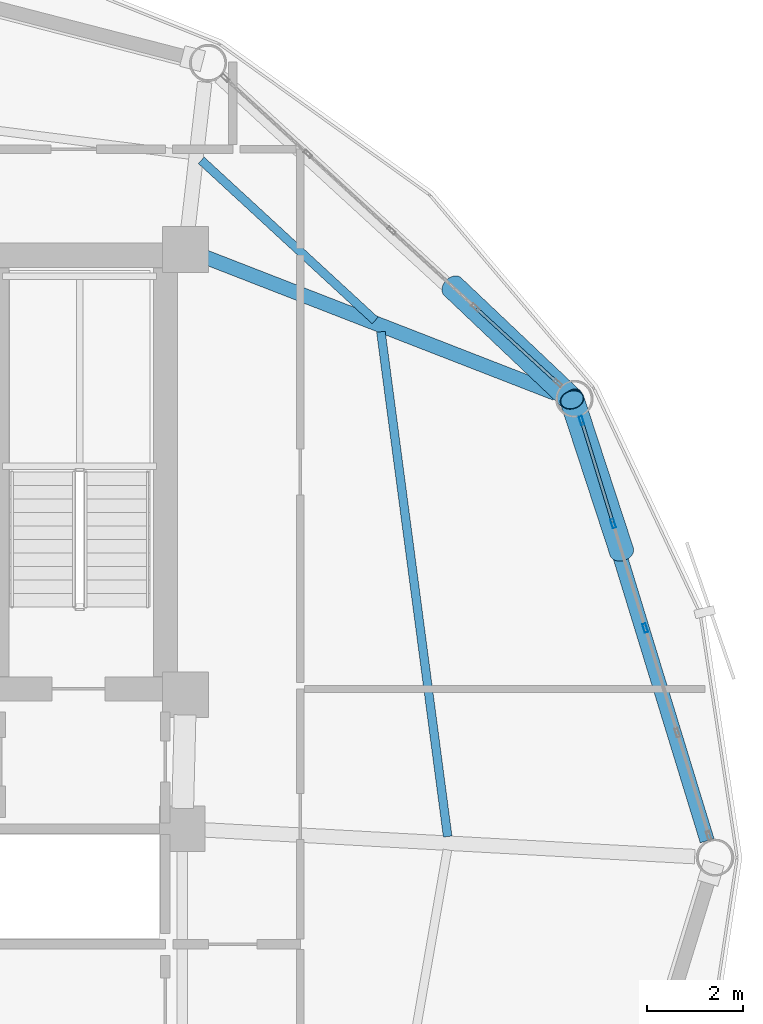
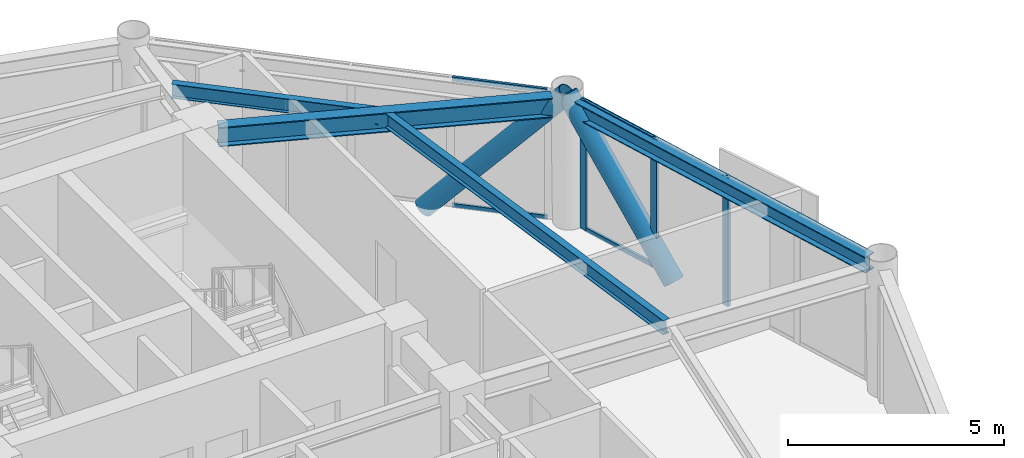
# One storey, part 15 of 27: 9 members, 4 beams, 2 elements without a shape of their own.
"""IFC4 building model written with IfcOpenShell, lengths in metres."""

from ifc_helpers import new_model, si_unit, direction, frame, origin, origin_2d, place, context, subcontext, project, spatial, hollow_rectangle, hollow_circle, i_section, extrude, material, layer, layer_set, material_profile, profile_set, type_object, element, aggregate, save


model = new_model("IFC4")

# Units and contexts
model_context = context("Model", 3, precision=1e-05, world=origin(), true_north=direction((0.0, 1.0)))
body_context = subcontext(model_context, "Body", "Model", "MODEL_VIEW")
ifc_project = project(units=[si_unit("LENGTHUNIT", "METRE"), si_unit("AREAUNIT", "SQUARE_METRE"), si_unit("VOLUMEUNIT", "CUBIC_METRE"), si_unit("PLANEANGLEUNIT", "RADIAN"), si_unit("MASSUNIT", "GRAM", prefix="KILO")], contexts=[model_context])

# Site, building, storey
site_placement = place(None, origin())
site = spatial("IfcSite", under=ifc_project, at=site_placement, CompositionType="ELEMENT")
building_placement = place(site_placement, origin())
building = spatial("IfcBuilding", under=site, at=building_placement, Name="Varnakorn Sky Granary", CompositionType="ELEMENT")
storey_placement = place(building_placement, frame((0.0, 0.0, 142.199951171875)))
storey = spatial("IfcBuildingStorey", under=building, at=storey_placement, Name="L35", CompositionType="ELEMENT", Elevation=142.199951171875)

# Beams
ifc_material_1 = material(Name="Steel S355JR", Category="steel")
ifc_material_profile_1 = material_profile(ifc_material_1, i_section(OverallWidth=0.300048828125, OverallDepth=0.550048828125, WebThickness=0.014892578125, FlangeThickness=0.029052734375, at=origin_2d()), Name="HE 550 B")
ifc_profile_set_1 = profile_set([ifc_material_profile_1], Name="Steel S355JR")
beam_type_1 = type_object("IfcBeamType", Name="BM-RAD-Z3", PredefinedType="BEAM", material=ifc_profile_set_1)
beam_1_placement = place(storey_placement, frame((8.811279296875, 12.4677734375, 3.364990234375), z_axis=(0.931982989382, -0.362502010343, 0.0), x_axis=(0.362502010343, 0.931982989382, 0.0)))
element("IfcBeam", 1, at=beam_1_placement, inside=storey, type_object=beam_type_1, Name="Radial Floor Girder RG02 L35", PredefinedType="BEAM", context=body_context, shape_type="SweptSolid", body=[
    extrude(i_section(OverallWidth=0.300048828125, OverallDepth=0.550048828125, WebThickness=0.014892578125, FlangeThickness=0.029052734375, at=origin_2d()), origin(), (0.0, 0.0, 1.0), 7.819091796875),
])
ifc_material_profile_2 = material_profile(ifc_material_1, i_section(OverallWidth=0.179931640625, OverallDepth=0.39990234375, WebThickness=0.008544921875, FlangeThickness=0.013427734375, at=origin_2d()), Name="IPE 400")
ifc_profile_set_2 = profile_set([ifc_material_profile_2], Name="Steel S355JR")
beam_type_2 = type_object("IfcBeamType", Name="BM-SEC-Z3", PredefinedType="BEAM", material=ifc_profile_set_2)
beam_2_placement = place(storey_placement, frame((13.858642578125, 0.437255859375, 3.43994140625), z_axis=(-0.131110199731, 0.991367800328, 0.0), x_axis=(-0.991367800328, -0.131110199731, 0.0)))
element("IfcBeam", 2, at=beam_2_placement, inside=storey, type_object=beam_type_2, Name="Secondary Floor Chord Beam MSB01 L35", PredefinedType="BEAM", context=body_context, shape_type="SweptSolid", body=[
    extrude(i_section(OverallWidth=0.179931640625, OverallDepth=0.39990234375, WebThickness=0.008544921875, FlangeThickness=0.013427734375, at=origin_2d()), origin(), (0.0, 0.0, 1.0), 10.565673828125),
])
beam_3_placement = place(storey_placement, frame((12.35205078125, 11.145263671875, 3.43994140625), z_axis=(-0.735360372828, 0.677676266424, 0.0), x_axis=(-0.677676266424, -0.735360372828, 0.0)))
element("IfcBeam", 3, at=beam_3_placement, inside=storey, type_object=beam_type_2, Name="Secondary Floor Chord Beam MSB02 L35", PredefinedType="BEAM", context=body_context, shape_type="SweptSolid", body=[
    extrude(i_section(OverallWidth=0.179931640625, OverallDepth=0.39990234375, WebThickness=0.008544921875, FlangeThickness=0.013427734375, at=origin_2d()), origin(), (0.0, 0.0, 1.0), 4.9052734375),
])
ifc_material_profile_3 = material_profile(ifc_material_1, i_section(OverallWidth=0.300048828125, OverallDepth=0.449951171875, WebThickness=0.013916015625, FlangeThickness=0.02587890625, at=origin_2d()), Name="HE 450 B")
ifc_profile_set_3 = profile_set([ifc_material_profile_3], Name="Steel S355JR")
beam_type_3 = type_object("IfcBeamType", Name="BM-SPD-Z3", PredefinedType="SPANDREL", material=ifc_profile_set_3)
beam_4_placement = place(storey_placement, frame((19.242919921875, 0.349853515625, 3.4150390625), z_axis=(-0.292905803463, 0.956141302475, 0.0), x_axis=(-0.956141302475, -0.292905803463, 0.0)))
element("IfcBeam", 4, at=beam_4_placement, inside=storey, type_object=beam_type_3, Name="Perimeter Spandrel Ring Beam RB01 L35", PredefinedType="SPANDREL", context=body_context, shape_type="SweptSolid", body=[
    extrude(i_section(OverallWidth=0.300048828125, OverallDepth=0.449951171875, WebThickness=0.013916015625, FlangeThickness=0.02587890625, at=origin_2d()), origin(), (0.0, 0.0, 1.0), 9.20458984375),
])

# Curtain wall, members
ifc_material_2 = material(Name="Anodised Bronze Aluminium Alloy 6063-T6", Category="aluminium")
ifc_layer = layer(ifc_material_2, 0.179931640625, Name="Anodised Bronze Aluminium Alloy 6063-T6")
ifc_layer_set = layer_set([ifc_layer], Name="Anodised Bronze Aluminium Alloy 6063-T6")
curtain_wall_type = type_object("IfcCurtainWallType", Name="CW-FRM-2", PredefinedType="USERDEFINED", material=ifc_layer_set)
curtain_wall_1_placement = place(storey_placement, origin())
curtain_wall_1 = element("IfcCurtainWall", 5, at=curtain_wall_1_placement, inside=storey, type_object=curtain_wall_type, Name="Unitised Curtain Wall CW4 CW-L35-B01", ObjectType="CURTAIN WALL", PredefinedType="USERDEFINED")
ifc_material_profile_4 = material_profile(ifc_material_2, hollow_rectangle(XDim=0.070068359375, YDim=0.18505859375, WallThickness=0.00390625, at=origin_2d()), Name="ALU MULL 70x185")
ifc_profile_set_4 = profile_set([ifc_material_profile_4], Name="Anodised Bronze Aluminium Alloy 6063-T6")
member_type_1 = type_object("IfcMemberType", Name="CW-FRM-2-MULL", PredefinedType="MULLION", material=ifc_profile_set_4)
member_1_placement = place(storey_placement, frame((16.63720703125, 9.06884765625, 0.0), z_axis=(0.0, 0.0, 1.0), x_axis=(0.956091617843, 0.293067941424, 0.0)))
member_1 = element("IfcMember", 6, at=member_1_placement, type_object=member_type_1, Name="CW4 mullion 1", PredefinedType="MULLION", context=body_context, shape_type="SweptSolid", body=[
    extrude(hollow_rectangle(XDim=0.070068359375, YDim=0.18505859375, WallThickness=0.00390625, at=origin_2d()), origin(), (0.0, 0.0, 1.0), 3.64013671875),
])
member_2_placement = place(storey_placement, frame((17.292236328125, 6.93212890625, 0.0), z_axis=(0.0, 0.0, 1.0), x_axis=(0.956091617843, 0.293067941424, 0.0)))
member_2 = element("IfcMember", 7, at=member_2_placement, type_object=member_type_1, Name="CW4 mullion 2", PredefinedType="MULLION", context=body_context, shape_type="SweptSolid", body=[
    extrude(hollow_rectangle(XDim=0.070068359375, YDim=0.18505859375, WallThickness=0.00390625, at=origin_2d()), origin(), (0.0, 0.0, 1.0), 3.64013671875),
])
member_3_placement = place(storey_placement, frame((17.957275390625, 4.761962890625, 0.0), z_axis=(0.0, 0.0, 1.0), x_axis=(0.956091617843, 0.293067941424, 0.0)))
member_3 = element("IfcMember", 8, at=member_3_placement, type_object=member_type_1, Name="CW4 mullion 3", PredefinedType="MULLION", context=body_context, shape_type="SweptSolid", body=[
    extrude(hollow_rectangle(XDim=0.070068359375, YDim=0.18505859375, WallThickness=0.00390625, at=origin_2d()), origin(), (0.0, 0.0, 1.0), 3.64013671875),
])
ifc_material_profile_5 = material_profile(ifc_material_2, hollow_rectangle(XDim=0.06494140625, YDim=0.1201171875, WallThickness=0.00341796875, at=origin_2d()), Name="ALU TRAN 65x120")
ifc_profile_set_5 = profile_set([ifc_material_profile_5], Name="Anodised Bronze Aluminium Alloy 6063-T6")
member_type_2 = type_object("IfcMemberType", Name="CW-FRM-2-TRAN", PredefinedType="USERDEFINED", material=ifc_profile_set_5)
member_4_placement = place(storey_placement, frame((16.6474609375, 9.035400390625, 0.032470703125), z_axis=(0.29309512368, -0.956083285324, 0.0), x_axis=(0.956083285324, 0.29309512368, 0.0)))
member_4 = element("IfcMember", 9, at=member_4_placement, type_object=member_type_2, Name="CW4 transom 1.1", ObjectType="TRANSOM", PredefinedType="USERDEFINED", context=body_context, shape_type="SweptSolid", body=[
    extrude(hollow_rectangle(XDim=0.06494140625, YDim=0.1201171875, WallThickness=0.00341796875, at=origin_2d()), origin(), (0.0, 0.0, 1.0), 2.164794921875),
])
member_5_placement = place(storey_placement, frame((16.6474609375, 9.035400390625, 3.607666015625), z_axis=(0.29309512368, -0.956083285324, 0.0), x_axis=(0.956083285324, 0.29309512368, 0.0)))
member_5 = element("IfcMember", 10, at=member_5_placement, type_object=member_type_2, Name="CW4 transom 1.2", ObjectType="TRANSOM", PredefinedType="USERDEFINED", context=body_context, shape_type="SweptSolid", body=[
    extrude(hollow_rectangle(XDim=0.06494140625, YDim=0.1201171875, WallThickness=0.00341796875, at=origin_2d()), origin(), (0.0, 0.0, 1.0), 2.164794921875),
])
aggregate(curtain_wall_1, [member_1, member_2, member_3, member_4, member_5])

curtain_wall_2_placement = place(storey_placement, origin())
curtain_wall_2 = element("IfcCurtainWall", 11, at=curtain_wall_2_placement, inside=storey, type_object=curtain_wall_type, Name="Unitised Curtain Wall CW4 CW-L35-B02", ObjectType="CURTAIN WALL", PredefinedType="USERDEFINED")
member_6_placement = place(storey_placement, frame((14.459228515625, 11.392333984375, 0.032470703125), z_axis=(0.737248544371, -0.675621627705, 0.0), x_axis=(0.675621627705, 0.737248544371, 0.0)))
member_6 = element("IfcMember", 12, at=member_6_placement, type_object=member_type_2, Name="CW4 transom 4.1", ObjectType="TRANSOM", PredefinedType="USERDEFINED", context=body_context, shape_type="SweptSolid", body=[
    extrude(hollow_rectangle(XDim=0.06494140625, YDim=0.1201171875, WallThickness=0.00341796875, at=origin_2d()), origin(), (0.0, 0.0, 1.0), 2.254150390625),
])
member_7_placement = place(storey_placement, frame((14.459228515625, 11.392333984375, 3.607666015625), z_axis=(0.737248544371, -0.675621627705, 0.0), x_axis=(0.675621627705, 0.737248544371, 0.0)))
member_7 = element("IfcMember", 13, at=member_7_placement, type_object=member_type_2, Name="CW4 transom 4.2", ObjectType="TRANSOM", PredefinedType="USERDEFINED", context=body_context, shape_type="SweptSolid", body=[
    extrude(hollow_rectangle(XDim=0.06494140625, YDim=0.1201171875, WallThickness=0.00341796875, at=origin_2d()), origin(), (0.0, 0.0, 1.0), 2.254150390625),
])
aggregate(curtain_wall_2, [member_6, member_7])

# Members
ifc_material_3 = material(Name="Steel S460M", Category="steel")
ifc_material_profile_6 = material_profile(ifc_material_3, hollow_circle(Radius=0.25390625, WallThickness=0.01806640625, at=origin_2d()), Name="CHS 508x18")
ifc_profile_set_6 = profile_set([ifc_material_profile_6], Name="Steel S460M")
member_type_3 = type_object("IfcMemberType", Name="MB-DIAG-T2", PredefinedType="BRACE", material=ifc_profile_set_6)
member_8_placement = place(storey_placement, frame((17.470703125, 6.349365234375, -0.1298828125), z_axis=(-0.20535847993, 0.627649041073, 0.750922483323), x_axis=(-0.950421268448, -0.310965291443, 0.0)))
element("IfcMember", 14, at=member_8_placement, inside=storey, type_object=member_type_3, Name="Perimeter CHS Diagrid Brace DG01 L35", PredefinedType="BRACE", context=body_context, shape_type="SweptSolid", body=[
    extrude(hollow_circle(Radius=0.25390625, WallThickness=0.01806640625, at=origin_2d()), origin(), (0.0, 0.0, 1.0), 5.0205078125),
])
member_9_placement = place(storey_placement, frame((13.962158203125, 11.847900390625, -0.1298828125), z_axis=(0.487183861858, -0.4615956673, 0.741337524124), x_axis=(0.687786313234, 0.725913209225, 0.0)))
element("IfcMember", 15, at=member_9_placement, inside=storey, type_object=member_type_3, Name="Perimeter CHS Diagrid Brace DG02 L35", PredefinedType="BRACE", context=body_context, shape_type="SweptSolid", body=[
    extrude(hollow_circle(Radius=0.25390625, WallThickness=0.01806640625, at=origin_2d()), origin(), (0.0, 0.0, 1.0), 5.08544921875),
])

save(model, "model.ifc")
